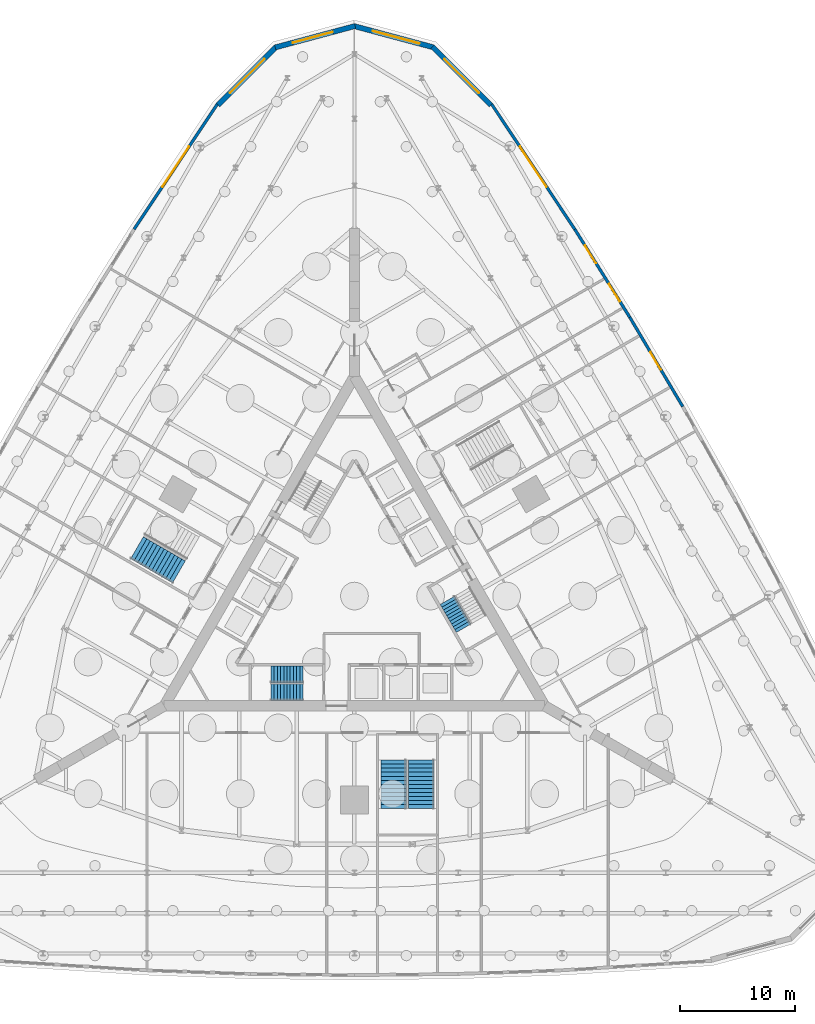
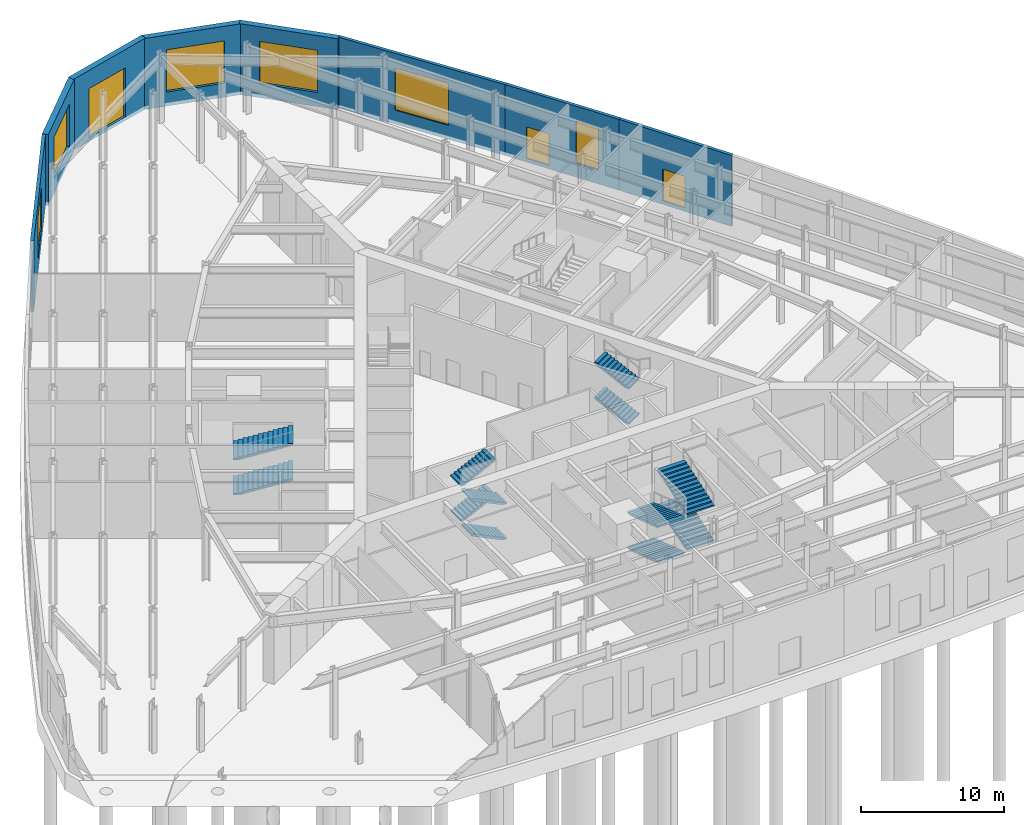
# One storey, part 14 of 17: 12 stair flights, 8 walls, 6 windows, 3 doors, 9 openings, 4 elements without a shape of their own.
"""IFC4 building model written with IfcOpenShell, lengths in metres."""

import ifcopenshell
import ifcopenshell.guid

model = None  # the IFC model being written
_history = None  # IfcOwnerHistory: only IFC2X3 demands one
_inside = {}  # id of a spatial element -> (the spatial element, [elements in it])
_under = {}  # id of a project, library or spatial element -> (it, [spatial elements below it])
_declared = {}  # id of a project -> (the project, [libraries it declares])
_typed = {}  # id of a type object -> (the type object, [elements of that type])
_made_of = {}  # id of a material, layer set ... -> (it, [elements and type objects made of it])


def new_model(schema):
    """Start an empty IFC model of exactly this schema.

    Asked for "IFC4X3", IfcOpenShell would pick the latest addendum, in which some entities
    have other attributes; the version numbers below select the first issue.
    IFC2X3 requires an IfcOwnerHistory on every rooted entity: one is made here for all.
    """
    global model, _history
    if schema == "IFC4X3":
        model = ifcopenshell.file(schema_version=(4, 3, 0, 0))
    else:
        model = ifcopenshell.file(schema=schema)
    _inside.clear()
    _under.clear()
    _declared.clear()
    _typed.clear()
    _made_of.clear()
    _history = None
    if model.schema == "IFC2X3":
        org = make("IfcOrganization", Name="unknown")
        user = make(
            "IfcPersonAndOrganization",
            ThePerson=make("IfcPerson", FamilyName="unknown"),
            TheOrganization=org,
        )
        app = make(
            "IfcApplication",
            ApplicationDeveloper=org,
            Version="unknown",
            ApplicationFullName="unknown",
            ApplicationIdentifier="unknown",
        )
        _history = make(
            "IfcOwnerHistory",
            OwningUser=user,
            OwningApplication=app,
            ChangeAction="ADDED",
            CreationDate=0,
        )
    return model


def make(cls, **values):
    """One entity of the class cls with the attributes given. An attribute that is None is left unset."""
    return model.create_entity(
        cls, **{name: value for name, value in values.items() if value is not None}
    )


def rooted(cls, **values):
    """An entity with a GlobalId (a new one), such as an element, a storey or a relation."""
    return make(cls, GlobalId=ifcopenshell.guid.new(), OwnerHistory=_history, **values)


def si_unit(unit_type, name, prefix=None):
    """IfcSIUnit, for example si_unit("LENGTHUNIT", "METRE", prefix="MILLI")."""
    return make("IfcSIUnit", UnitType=unit_type, Prefix=prefix, Name=name)


def assignment(units):
    """IfcUnitAssignment: the units of a project."""
    return None if units is None else make("IfcUnitAssignment", Units=units)


def point(xyz):
    """IfcCartesianPoint."""
    return None if xyz is None else make("IfcCartesianPoint", Coordinates=xyz)


def direction(xyz):
    """IfcDirection."""
    return None if xyz is None else make("IfcDirection", DirectionRatios=xyz)


def frame(location, z_axis=None, x_axis=None):
    """IfcAxis2Placement3D, a coordinate frame: its origin and axes. An axis left out is left unset."""
    return make(
        "IfcAxis2Placement3D",
        Location=point(location),
        Axis=direction(z_axis),
        RefDirection=direction(x_axis),
    )


def frame_2d(location, x_axis=None):
    """IfcAxis2Placement2D, a coordinate frame in the plane: its origin and x axis."""
    return make(
        "IfcAxis2Placement2D", Location=point(location), RefDirection=direction(x_axis)
    )


def origin():
    """The frame at (0, 0, 0) with its axes left unset."""
    return frame((0.0, 0.0, 0.0))


def place(relative_to, where):
    """IfcLocalPlacement: puts the frame where relative to a parent placement (None: the world)."""
    return make(
        "IfcLocalPlacement", PlacementRelTo=relative_to, RelativePlacement=where
    )


def context(
    kind, dimensions, precision=None, world=None, true_north=None, identifier=None
):
    """IfcGeometricRepresentationContext, for example the 3D "Model" context."""
    return make(
        "IfcGeometricRepresentationContext",
        ContextIdentifier=identifier,
        ContextType=kind,
        CoordinateSpaceDimension=dimensions,
        Precision=precision,
        WorldCoordinateSystem=world,
        TrueNorth=true_north,
    )


def subcontext(parent, identifier, kind, view, scale=None):
    """IfcGeometricRepresentationSubContext, for example "Body" below "Model"."""
    return make(
        "IfcGeometricRepresentationSubContext",
        ContextIdentifier=identifier,
        ContextType=kind,
        ParentContext=parent,
        TargetScale=scale,
        TargetView=view,
    )


def project(units=None, contexts=None):
    """IfcProject with its units and contexts."""
    return rooted(
        "IfcProject",
        Name="project",
        RepresentationContexts=contexts,
        UnitsInContext=assignment(units),
    )


def spatial(cls, under=None, at=None, **own):
    """A site, building, storey or space (cls), placed at a placement, below another one or the project."""
    s = rooted(cls, ObjectPlacement=at, **own)
    if under is not None:
        _under.setdefault(under.id(), (under, []))[1].append(s)
    return s


def polyline(points):
    """IfcPolyline through the points."""
    return make("IfcPolyline", Points=[point(p) for p in points])


def profile(cls, at=None, kind="AREA", **sizes):
    """A parametric profile (cls). Its sizes go by their IFC names, for example OverallWidth=200.0."""
    return make(cls, ProfileType=kind, Position=at, **sizes)


def rectangle(**sizes):
    """IfcRectangleProfileDef."""
    return profile("IfcRectangleProfileDef", **sizes)


def outline(outer, holes=None, kind="AREA"):
    """IfcArbitraryClosedProfileDef: a profile drawn as a closed curve; with holes, ...WithVoids."""
    if holes is None:
        return make("IfcArbitraryClosedProfileDef", ProfileType=kind, OuterCurve=outer)
    return make(
        "IfcArbitraryProfileDefWithVoids",
        ProfileType=kind,
        OuterCurve=outer,
        InnerCurves=holes,
    )


def extrude(swept, where, along, depth):
    """IfcExtrudedAreaSolid: the profile swept, set in the frame where, extruded along a direction by depth."""
    return make(
        "IfcExtrudedAreaSolid",
        SweptArea=swept,
        Position=where,
        ExtrudedDirection=direction(along),
        Depth=depth,
    )


def shape(context_of_items, identifier, shape_type, items):
    """IfcShapeRepresentation: the items that make up one representation, for example the "Body"."""
    return make(
        "IfcShapeRepresentation",
        ContextOfItems=context_of_items,
        RepresentationIdentifier=identifier,
        RepresentationType=shape_type,
        Items=items,
    )


def material(Name=None, Category=None):
    """IfcMaterial."""
    return make("IfcMaterial", Name=Name, Category=Category)


def layer(
    of_material, thickness, ventilated=None, Name=None, Category=None, Priority=None
):
    """IfcMaterialLayer: one layer of a wall or slab, of a material (None: an air gap)."""
    return make(
        "IfcMaterialLayer",
        Material=of_material,
        LayerThickness=thickness,
        IsVentilated=ventilated,
        Name=Name,
        Category=Category,
        Priority=Priority,
    )


def layer_set(layers, Name=None):
    """IfcMaterialLayerSet."""
    return make("IfcMaterialLayerSet", MaterialLayers=layers, LayerSetName=Name)


def made_of(thing, what):
    """Note that an element or type object is made of a material, layer set ...; save() writes the relation."""
    if what is not None:
        _made_of.setdefault(what.id(), (what, []))[1].append(thing)
    return thing


def type_object(cls, material=None, **own):
    """A type object (cls), such as IfcWallType, which elements share."""
    return made_of(rooted(cls, **own), material)


def element(
    cls,
    number,
    at=None,
    inside=None,
    cuts=None,
    type_object=None,
    material=None,
    context=None,
    identifier="Body",
    shape_type=None,
    held_by="IfcProductDefinitionShape",
    body=None,
    shapes=None,
    **own,
):
    """One element of the class cls, such as IfcWall. Its Tag is "e" and its number.

    at: its placement. inside: the storey or other place that contains it. cuts: it is an
    opening in that element (IfcRelVoidsElement). A single representation is given by context,
    identifier, shape_type and body (its items); several are given by shapes. held_by: the class
    of the entity that holds the representations. save() writes the other relations.
    """
    e = rooted(cls, Tag="e%d" % number, ObjectPlacement=at, **own)
    if body is not None:
        shapes = [shape(context, identifier, shape_type, body)]
    if shapes is not None:
        e.Representation = make(held_by, Representations=shapes)
    if inside is not None:
        _inside.setdefault(inside.id(), (inside, []))[1].append(e)
    if cuts is not None:
        rooted(
            "IfcRelVoidsElement", RelatingBuildingElement=cuts, RelatedOpeningElement=e
        )
    if type_object is not None:
        _typed.setdefault(type_object.id(), (type_object, []))[1].append(e)
    return made_of(e, material)


def fill(opening, filler):
    """IfcRelFillsElement: the door or window that sits in an opening."""
    return rooted(
        "IfcRelFillsElement",
        RelatingOpeningElement=opening,
        RelatedBuildingElement=filler,
    )


def aggregate(whole, parts):
    """IfcRelAggregates: a whole, such as a stair, and the parts it consists of."""
    return rooted("IfcRelAggregates", RelatingObject=whole, RelatedObjects=parts)


def save(model, path):
    """Write the relations noted so far, then the file.

    IfcRelAggregates (storeys below a building ...), IfcRelContainedInSpatialStructure (elements
    in a storey), IfcRelDefinesByType, IfcRelAssociatesMaterial and IfcRelDeclares: one each for
    every whole, place, type object, material and project.
    """
    for whole, parts in _under.values():
        aggregate(whole, parts)
    for where, things in _inside.values():
        rooted(
            "IfcRelContainedInSpatialStructure",
            RelatedElements=things,
            RelatingStructure=where,
        )
    for kind, things in _typed.values():
        rooted("IfcRelDefinesByType", RelatedObjects=things, RelatingType=kind)
    for what, things in _made_of.values():
        rooted("IfcRelAssociatesMaterial", RelatedObjects=things, RelatingMaterial=what)
    for by, libraries in _declared.values():
        rooted("IfcRelDeclares", RelatingContext=by, RelatedDefinitions=libraries)
    model.write(path)


model = new_model("IFC4")

# Units and contexts
model_context = context("Model", 3, precision=1e-05, world=origin(), true_north=direction((0.0, 1.0)))
body_context = subcontext(model_context, "Body", "Model", "MODEL_VIEW")
ifc_project = project(units=[si_unit("LENGTHUNIT", "METRE"), si_unit("AREAUNIT", "SQUARE_METRE"), si_unit("VOLUMEUNIT", "CUBIC_METRE"), si_unit("PLANEANGLEUNIT", "RADIAN"), si_unit("MASSUNIT", "GRAM", prefix="KILO")], contexts=[model_context])

# Site, building, storey
site_placement = place(None, origin())
site = spatial("IfcSite", under=ifc_project, at=site_placement, CompositionType="ELEMENT")
building_placement = place(site_placement, origin())
building = spatial("IfcBuilding", under=site, at=building_placement, Name="Trikona Tower", CompositionType="ELEMENT")
storey_placement = place(building_placement, origin())
storey = spatial("IfcBuildingStorey", under=building, at=storey_placement, Name="L00", CompositionType="ELEMENT", Elevation=0.0)

# Wall, opening, window
ifc_material_1 = material(Name="Brick-faced precast concrete", Category="masonry")
ifc_layer_1 = layer(ifc_material_1, 0.449951171875)
ifc_layer_set_1 = layer_set([ifc_layer_1], Name="Brick-faced corner wall 450")
wall_type_1 = type_object("IfcWallType", Name="Brick-faced corner wall 450", PredefinedType="SOLIDWALL", material=ifc_layer_set_1)
wall_1_placement = place(storey_placement, frame((11.8408203125, 42.564697265625, -0.300048828125), z_axis=(0.0, 0.0, 1.0), x_axis=(-0.707089762358, 0.707123799605, 0.0)))
wall_1 = element("IfcWall", 1, at=wall_1_placement, inside=storey, type_object=wall_type_1, Name="External wall L00-16", PredefinedType="SOLIDWALL", context=body_context, shape_type="SweptSolid", body=[
    extrude(rectangle(XDim=7.1728515625, YDim=0.449951171875, at=frame_2d((3.58642578125, 0.0))), origin(), (0.0, 0.0, 1.0), 6.050048828125),
])
opening_1_placement = place(wall_1_placement, frame((1.486328125, 0.0, 1.199951171875)))
opening_1 = element("IfcOpeningElement", 2, at=opening_1_placement, cuts=wall_1, Name="Opening W4236", PredefinedType="OPENING", context=body_context, shape_type="SweptSolid", body=[
    extrude(rectangle(XDim=4.199951171875, YDim=3.60009765625, at=frame_2d((2.10009765625, 1.800048828125))), frame((0.0, 0.23486328125, 0.0), z_axis=(0.0, -1.0, 0.0), x_axis=(1.0, 0.0, 0.0)), (0.0, 0.0, 1.0), 0.469970703125),
])
ifc_material_2 = material(Name="Aluminium-framed double glazing", Category="aluminium")
window_type_1 = type_object("IfcWindowType", Name="Window 4200x3600", PartitioningType="SINGLE_PANEL", PredefinedType="WINDOW", material=ifc_material_2)
window_1_placement = place(opening_1_placement, origin())
window_1 = element("IfcWindow", 3, at=window_1_placement, inside=storey, type_object=window_type_1, Name="Window L00-RU4", OverallHeight=3.60009765625, OverallWidth=4.199951171875, PartitioningType="SINGLE_PANEL", PredefinedType="WINDOW", context=body_context, shape_type="SweptSolid", body=[
    extrude(rectangle(XDim=4.199951171875, YDim=3.60009765625, at=frame_2d((2.10009765625, 1.800048828125))), frame((0.0, 0.030029296875, 0.0), z_axis=(0.0, -1.0, 0.0), x_axis=(1.0, 0.0, 0.0)), (0.0, 0.0, 1.0), 0.06005859375),
])
fill(opening_1, window_1)

wall_2_placement = place(storey_placement, frame((6.8701171875, 47.578369140625, -0.300048828125), z_axis=(0.0, 0.0, 1.0), x_axis=(-0.965924653531, 0.258823421857, 0.0)))
wall_2 = element("IfcWall", 4, at=wall_2_placement, inside=storey, type_object=wall_type_1, Name="External wall L00-17", PredefinedType="SOLIDWALL", context=body_context, shape_type="SweptSolid", body=[
    extrude(rectangle(XDim=7.172607421875, YDim=0.449951171875, at=frame_2d((3.58642578125, 0.0))), origin(), (0.0, 0.0, 1.0), 6.050048828125),
])
opening_2_placement = place(wall_2_placement, frame((1.267578125, 0.0, 1.199951171875)))
opening_2 = element("IfcOpeningElement", 5, at=opening_2_placement, cuts=wall_2, Name="Opening W4236", PredefinedType="OPENING", context=body_context, shape_type="SweptSolid", body=[
    extrude(rectangle(XDim=4.199951171875, YDim=3.60009765625, at=frame_2d((2.10009765625, 1.800048828125))), frame((0.0, 0.23486328125, 0.0), z_axis=(0.0, -1.0, 0.0), x_axis=(1.0, 0.0, 0.0)), (0.0, 0.0, 1.0), 0.469970703125),
])
window_2_placement = place(opening_2_placement, origin())
window_2 = element("IfcWindow", 6, at=window_2_placement, inside=storey, type_object=window_type_1, Name="Window L00-RU4", OverallHeight=3.60009765625, OverallWidth=4.199951171875, PartitioningType="SINGLE_PANEL", PredefinedType="WINDOW", context=body_context, shape_type="SweptSolid", body=[
    extrude(rectangle(XDim=4.199951171875, YDim=3.60009765625, at=frame_2d((2.10009765625, 1.800048828125))), frame((0.0, 0.030029296875, 0.0), z_axis=(0.0, -1.0, 0.0), x_axis=(1.0, 0.0, 0.0)), (0.0, 0.0, 1.0), 0.06005859375),
])
fill(opening_2, window_2)

# Wall, opening, door
wall_3_placement = place(storey_placement, frame((0.05810546875, 49.434814453125, -0.300048828125), z_axis=(0.0, 0.0, 1.0), x_axis=(-0.965924653531, -0.258823421857, 0.0)))
wall_3 = element("IfcWall", 7, at=wall_3_placement, inside=storey, type_object=wall_type_1, Name="External wall L00-18", PredefinedType="SOLIDWALL", context=body_context, shape_type="SweptSolid", body=[
    extrude(rectangle(XDim=7.172607421875, YDim=0.449951171875, at=frame_2d((3.58642578125, 0.0))), origin(), (0.0, 0.0, 1.0), 6.050048828125),
])
opening_3_placement = place(wall_3_placement, frame((2.00439453125, 0.0, 0.300048828125)))
opening_3 = element("IfcOpeningElement", 8, at=opening_3_placement, cuts=wall_3, Name="Opening D9", PredefinedType="OPENING", context=body_context, shape_type="SweptSolid", body=[
    extrude(rectangle(XDim=3.60009765625, YDim=4.199951171875, at=frame_2d((1.800048828125, 2.10009765625))), frame((0.0, 0.23486328125, 0.0), z_axis=(0.0, -1.0, 0.0), x_axis=(1.0, 0.0, 0.0)), (0.0, 0.0, 1.0), 0.469970703125),
])
ifc_material_3 = material(Name="Insulated steel roller shutter", Category="steel")
door_type_1 = type_object("IfcDoorType", Name="Loading dock roller door 3600x4200", OperationType="ROLLINGUP", PredefinedType="DOOR", material=ifc_material_3)
door_1_placement = place(opening_3_placement, origin())
door_1 = element("IfcDoor", 9, at=door_1_placement, inside=storey, type_object=door_type_1, Name="Loading dock door", OperationType="ROLLINGUP", OverallHeight=4.199951171875, OverallWidth=3.60009765625, PredefinedType="DOOR", context=body_context, shape_type="SweptSolid", body=[
    extrude(rectangle(XDim=3.60009765625, YDim=4.199951171875, at=frame_2d((1.800048828125, 2.10009765625))), frame((0.0, 0.02490234375, 0.0), z_axis=(0.0, -1.0, 0.0), x_axis=(1.0, 0.0, 0.0)), (0.0, 0.0, 1.0), 0.050048828125),
])
fill(opening_3, door_1)

# Wall, opening, window
wall_4_placement = place(storey_placement, frame((-6.76904296875, 47.63671875, -0.300048828125), z_axis=(0.0, 0.0, 1.0), x_axis=(-0.707089762358, -0.707123799605, 0.0)))
wall_4 = element("IfcWall", 10, at=wall_4_placement, inside=storey, type_object=wall_type_1, Name="External wall L00-19", PredefinedType="SOLIDWALL", context=body_context, shape_type="SweptSolid", body=[
    extrude(rectangle(XDim=7.1728515625, YDim=0.449951171875, at=frame_2d((3.58642578125, 0.0))), origin(), (0.0, 0.0, 1.0), 6.050048828125),
])
opening_4_placement = place(wall_4_placement, frame((1.486328125, 0.0, 1.199951171875)))
opening_4 = element("IfcOpeningElement", 11, at=opening_4_placement, cuts=wall_4, Name="Opening W4236", PredefinedType="OPENING", context=body_context, shape_type="SweptSolid", body=[
    extrude(rectangle(XDim=4.199951171875, YDim=3.60009765625, at=frame_2d((2.10009765625, 1.800048828125))), frame((0.0, 0.23486328125, 0.0), z_axis=(0.0, -1.0, 0.0), x_axis=(1.0, 0.0, 0.0)), (0.0, 0.0, 1.0), 0.469970703125),
])
window_3_placement = place(opening_4_placement, origin())
window_3 = element("IfcWindow", 12, at=window_3_placement, inside=storey, type_object=window_type_1, Name="Window L00-DCK", OverallHeight=3.60009765625, OverallWidth=4.199951171875, PartitioningType="SINGLE_PANEL", PredefinedType="WINDOW", context=body_context, shape_type="SweptSolid", body=[
    extrude(rectangle(XDim=4.199951171875, YDim=3.60009765625, at=frame_2d((2.10009765625, 1.800048828125))), frame((0.0, 0.030029296875, 0.0), z_axis=(0.0, -1.0, 0.0), x_axis=(1.0, 0.0, 0.0)), (0.0, 0.0, 1.0), 0.06005859375),
])
fill(opening_4, window_3)

# Wall, opening, door
ifc_material_4 = material(Name="Insulated precast concrete spandrel panel", Category="concrete")
ifc_layer_2 = layer(ifc_material_4, 0.25)
ifc_layer_set_2 = layer_set([ifc_layer_2], Name="Inner skin wall 250")
wall_type_2 = type_object("IfcWallType", Name="Inner skin wall 250", PredefinedType="STANDARD", material=ifc_layer_set_2)
wall_5_placement = place(storey_placement, frame((23.8759765625, 24.17529296875, -0.300048828125), z_axis=(0.0, 0.0, 1.0), x_axis=(0.510009078305, -0.860169018302, 0.0)))
wall_5 = element("IfcWall", 13, at=wall_5_placement, inside=storey, type_object=wall_type_2, Name="External wall L00-13", PredefinedType="STANDARD", context=body_context, shape_type="SweptSolid", body=[
    extrude(rectangle(XDim=9.00048828125, YDim=0.25, at=frame_2d((4.500244140625, 0.0))), origin(), (0.0, 0.0, 1.0), 6.050048828125),
])
opening_5_placement = place(wall_5_placement, frame((3.4951171875, 0.0, 0.300048828125)))
opening_5 = element("IfcOpeningElement", 14, at=opening_5_placement, cuts=wall_5, Name="Opening D7", PredefinedType="OPENING", context=body_context, shape_type="SweptSolid", body=[
    extrude(rectangle(XDim=1.800048828125, YDim=2.699951171875, at=frame_2d((0.89990234375, 1.35009765625))), frame((0.0, 0.135009765625, 0.0), z_axis=(0.0, -1.0, 0.0), x_axis=(1.0, 0.0, 0.0)), (0.0, 0.0, 1.0), 0.27001953125),
])
ifc_material_5 = material(Name="Aluminium-framed glazed door", Category="aluminium")
door_type_2 = type_object("IfcDoorType", Name="Entrance door pair 1800x2700", OperationType="DOUBLE_DOOR_SINGLE_SWING", PredefinedType="DOOR", material=ifc_material_5)
door_2_placement = place(opening_5_placement, origin())
door_2 = element("IfcDoor", 15, at=door_2_placement, inside=storey, type_object=door_type_2, Name="Exit door Podium stair PS2", OperationType="DOUBLE_DOOR_SINGLE_SWING", OverallHeight=2.699951171875, OverallWidth=1.800048828125, PredefinedType="DOOR", context=body_context, shape_type="SweptSolid", body=[
    extrude(rectangle(XDim=1.800048828125, YDim=2.699951171875, at=frame_2d((0.89990234375, 1.35009765625))), frame((0.0, 0.02490234375, 0.0), z_axis=(0.0, -1.0, 0.0), x_axis=(1.0, 0.0, 0.0)), (0.0, 0.0, 1.0), 0.050048828125),
])
fill(opening_5, door_2)

# Wall, openings, door, window
wall_6_placement = place(storey_placement, frame((23.87744140625, 24.1728515625, -0.300048828125), z_axis=(0.0, 0.0, 1.0), x_axis=(-0.529864906428, 0.848082060261, 0.0)))
wall_6 = element("IfcWall", 16, at=wall_6_placement, inside=storey, type_object=wall_type_2, Name="External wall L00-14", PredefinedType="STANDARD", context=body_context, shape_type="SweptSolid", body=[
    extrude(rectangle(XDim=9.005615234375, YDim=0.25, at=frame_2d((4.5029296875, 0.0))), origin(), (0.0, 0.0, 1.0), 6.050048828125),
])
opening_6_placement = place(wall_6_placement, frame((1.6171875, 0.0, 1.199951171875)))
opening_6 = element("IfcOpeningElement", 17, at=opening_6_placement, cuts=wall_6, Name="Opening W1836", PredefinedType="OPENING", context=body_context, shape_type="SweptSolid", body=[
    extrude(rectangle(XDim=1.800048828125, YDim=3.60009765625, at=frame_2d((0.89990234375, 1.800048828125))), frame((0.0, 0.135009765625, 0.0), z_axis=(0.0, -1.0, 0.0), x_axis=(1.0, 0.0, 0.0)), (0.0, 0.0, 1.0), 0.27001953125),
])
opening_7_placement = place(wall_6_placement, frame((5.536865234375, 0.0, 0.300048828125)))
opening_7 = element("IfcOpeningElement", 18, at=opening_7_placement, cuts=wall_6, Name="Opening D7", PredefinedType="OPENING", context=body_context, shape_type="SweptSolid", body=[
    extrude(rectangle(XDim=1.800048828125, YDim=2.699951171875, at=frame_2d((0.89990234375, 1.35009765625))), frame((0.0, 0.135009765625, 0.0), z_axis=(0.0, -1.0, 0.0), x_axis=(1.0, 0.0, 0.0)), (0.0, 0.0, 1.0), 0.27001953125),
])
door_3_placement = place(opening_7_placement, origin())
door_3 = element("IfcDoor", 19, at=door_3_placement, inside=storey, type_object=door_type_2, Name="Exit door Retail unit 4", OperationType="DOUBLE_DOOR_SINGLE_SWING", OverallHeight=2.699951171875, OverallWidth=1.800048828125, PredefinedType="DOOR", context=body_context, shape_type="SweptSolid", body=[
    extrude(rectangle(XDim=1.800048828125, YDim=2.699951171875, at=frame_2d((0.89990234375, 1.35009765625))), frame((0.0, 0.02490234375, 0.0), z_axis=(0.0, -1.0, 0.0), x_axis=(1.0, 0.0, 0.0)), (0.0, 0.0, 1.0), 0.050048828125),
])
fill(opening_7, door_3)
ifc_material_6 = material(Name="Aluminium-framed double glazing", Category="aluminium")
window_type_2 = type_object("IfcWindowType", Name="Window 1800x3600", PartitioningType="SINGLE_PANEL", PredefinedType="WINDOW", material=ifc_material_6)
window_4_placement = place(opening_6_placement, origin())
window_4 = element("IfcWindow", 20, at=window_4_placement, inside=storey, type_object=window_type_2, Name="Window L00-WCF", OverallHeight=3.60009765625, OverallWidth=1.800048828125, PartitioningType="SINGLE_PANEL", PredefinedType="WINDOW", context=body_context, shape_type="SweptSolid", body=[
    extrude(rectangle(XDim=1.800048828125, YDim=3.60009765625, at=frame_2d((0.89990234375, 1.800048828125))), frame((0.0, 0.030029296875, 0.0), z_axis=(0.0, -1.0, 0.0), x_axis=(1.0, 0.0, 0.0)), (0.0, 0.0, 1.0), 0.06005859375),
])
fill(opening_6, window_4)

# Wall, opening, window
wall_7_placement = place(storey_placement, frame((19.107666015625, 31.807373046875, -0.300048828125), z_axis=(0.0, 0.0, 1.0), x_axis=(-0.553640063994, 0.832756074454, 0.0)))
wall_7 = element("IfcWall", 21, at=wall_7_placement, inside=storey, type_object=wall_type_2, Name="External wall L00-15", PredefinedType="STANDARD", context=body_context, shape_type="SweptSolid", body=[
    extrude(rectangle(XDim=13.02587890625, YDim=0.25, at=frame_2d((6.512939453125, 0.0))), origin(), (0.0, 0.0, 1.0), 6.050048828125),
])
opening_8_placement = place(wall_7_placement, frame((4.412841796875, 0.0, 1.199951171875)))
opening_8 = element("IfcOpeningElement", 22, at=opening_8_placement, cuts=wall_7, Name="Opening W4236", PredefinedType="OPENING", context=body_context, shape_type="SweptSolid", body=[
    extrude(rectangle(XDim=4.199951171875, YDim=3.60009765625, at=frame_2d((2.10009765625, 1.800048828125))), frame((0.0, 0.135009765625, 0.0), z_axis=(0.0, -1.0, 0.0), x_axis=(1.0, 0.0, 0.0)), (0.0, 0.0, 1.0), 0.27001953125),
])
window_5_placement = place(opening_8_placement, origin())
window_5 = element("IfcWindow", 23, at=window_5_placement, inside=storey, type_object=window_type_1, Name="Window L00-RU4", OverallHeight=3.60009765625, OverallWidth=4.199951171875, PartitioningType="SINGLE_PANEL", PredefinedType="WINDOW", context=body_context, shape_type="SweptSolid", body=[
    extrude(rectangle(XDim=4.199951171875, YDim=3.60009765625, at=frame_2d((2.10009765625, 1.800048828125))), frame((0.0, 0.030029296875, 0.0), z_axis=(0.0, -1.0, 0.0), x_axis=(1.0, 0.0, 0.0)), (0.0, 0.0, 1.0), 0.06005859375),
])
fill(opening_8, window_5)

wall_8_placement = place(storey_placement, frame((-11.89599609375, 42.65478515625, -0.300048828125), z_axis=(0.0, 0.0, 1.0), x_axis=(-0.553640063994, -0.832756074454, 0.0)))
wall_8 = element("IfcWall", 24, at=wall_8_placement, inside=storey, type_object=wall_type_2, Name="External wall L00-20", PredefinedType="STANDARD", context=body_context, shape_type="SweptSolid", body=[
    extrude(rectangle(XDim=13.02587890625, YDim=0.25, at=frame_2d((6.512939453125, 0.0))), origin(), (0.0, 0.0, 1.0), 6.050048828125),
])
opening_9_placement = place(wall_8_placement, frame((4.412841796875, 0.0, 1.199951171875)))
opening_9 = element("IfcOpeningElement", 25, at=opening_9_placement, cuts=wall_8, Name="Opening W4236", PredefinedType="OPENING", context=body_context, shape_type="SweptSolid", body=[
    extrude(rectangle(XDim=4.199951171875, YDim=3.60009765625, at=frame_2d((2.10009765625, 1.800048828125))), frame((0.0, 0.135009765625, 0.0), z_axis=(0.0, -1.0, 0.0), x_axis=(1.0, 0.0, 0.0)), (0.0, 0.0, 1.0), 0.27001953125),
])
window_6_placement = place(opening_9_placement, origin())
window_6 = element("IfcWindow", 26, at=window_6_placement, inside=storey, type_object=window_type_1, Name="Window L00-DCK", OverallHeight=3.60009765625, OverallWidth=4.199951171875, PartitioningType="SINGLE_PANEL", PredefinedType="WINDOW", context=body_context, shape_type="SweptSolid", body=[
    extrude(rectangle(XDim=4.199951171875, YDim=3.60009765625, at=frame_2d((2.10009765625, 1.800048828125))), frame((0.0, 0.030029296875, 0.0), z_axis=(0.0, -1.0, 0.0), x_axis=(1.0, 0.0, 0.0)), (0.0, 0.0, 1.0), 0.06005859375),
])
fill(opening_9, window_6)

# Stair, stair flights
ifc_material_7 = material(Name="Concrete f'c 5000 psi", Category="concrete")
stair_type_1 = type_object("IfcStairType", Name="Core stair", PredefinedType="HALF_TURN_STAIR", material=ifc_material_7)
stair_1_placement = place(storey_placement, origin())
stair_1 = element("IfcStair", 27, at=stair_1_placement, inside=storey, type_object=stair_type_1, Name="Stair A L00", PredefinedType="HALF_TURN_STAIR")
ifc_material_8 = material(Name="Concrete f'c 5000 psi", Category="concrete")
stair_flight_type_1 = type_object("IfcStairFlightType", Name="Core stair flight 1450", PredefinedType="STRAIGHT", material=ifc_material_8)
stair_flight_1_placement = place(storey_placement, frame((-4.449951171875, -8.351318359375, 0.0), z_axis=(0.0, 0.0, 1.0), x_axis=(-1.0, 0.0, 0.0)))
stair_flight_1 = element("IfcStairFlight", 28, at=stair_flight_1_placement, type_object=stair_flight_type_1, Name="ST-A flight 1", NumberOfRisers=11, NumberOfTreads=10, PredefinedType="STRAIGHT", RiserHeight=0.136364, TreadLength=0.28, context=body_context, shape_type="SweptSolid", body=[
    extrude(outline(polyline([(0.0, 0.0), (0.0, 0.136474609375), (0.280029296875, 0.136474609375), (0.280029296875, 0.272705078125), (0.56005859375, 0.272705078125), (0.56005859375, 0.4091796875), (0.840087890625, 0.4091796875), (0.840087890625, 0.54541015625), (1.1201171875, 0.54541015625), (1.1201171875, 0.681884765625), (1.39990234375, 0.681884765625), (1.39990234375, 0.818115234375), (1.679931640625, 0.818115234375), (1.679931640625, 0.95458984375), (1.9599609375, 0.95458984375), (1.9599609375, 1.0908203125), (2.239990234375, 1.0908203125), (2.239990234375, 1.227294921875), (2.52001953125, 1.227294921875), (2.52001953125, 1.363525390625), (2.800048828125, 1.363525390625), (2.800048828125, 1.5), (2.800048828125, 1.197021484375), (0.34228515625, 0.0), (0.0, 0.0)])), frame((0.0, 0.72509765625, 0.0), z_axis=(0.0, -1.0, 0.0), x_axis=(1.0, 0.0, 0.0)), (0.0, 0.0, 1.0), 1.449951171875),
])
stair_flight_2_placement = place(storey_placement, frame((-7.25, -6.80126953125, 1.5), z_axis=(0.0, 0.0, 1.0), x_axis=(1.0, 0.0, 0.0)))
stair_flight_2 = element("IfcStairFlight", 29, at=stair_flight_2_placement, type_object=stair_flight_type_1, Name="ST-A flight 2", NumberOfRisers=11, NumberOfTreads=10, PredefinedType="STRAIGHT", RiserHeight=0.136364, TreadLength=0.28, context=body_context, shape_type="SweptSolid", body=[
    extrude(outline(polyline([(0.0, 0.0), (0.0, 0.136474609375), (0.280029296875, 0.136474609375), (0.280029296875, 0.272705078125), (0.56005859375, 0.272705078125), (0.56005859375, 0.4091796875), (0.840087890625, 0.4091796875), (0.840087890625, 0.54541015625), (1.1201171875, 0.54541015625), (1.1201171875, 0.681884765625), (1.39990234375, 0.681884765625), (1.39990234375, 0.818115234375), (1.679931640625, 0.818115234375), (1.679931640625, 0.95458984375), (1.9599609375, 0.95458984375), (1.9599609375, 1.0908203125), (2.239990234375, 1.0908203125), (2.239990234375, 1.227294921875), (2.52001953125, 1.227294921875), (2.52001953125, 1.363525390625), (2.800048828125, 1.363525390625), (2.800048828125, 1.5), (2.800048828125, 1.197021484375), (0.34228515625, 0.0), (0.0, 0.0)])), frame((0.0, 0.72509765625, 0.0), z_axis=(0.0, -1.0, 0.0), x_axis=(1.0, 0.0, 0.0)), (0.0, 0.0, 1.0), 1.449951171875),
])
stair_flight_3_placement = place(storey_placement, frame((-4.449951171875, -8.351318359375, 3.0), z_axis=(0.0, 0.0, 1.0), x_axis=(-1.0, 0.0, 0.0)))
stair_flight_3 = element("IfcStairFlight", 30, at=stair_flight_3_placement, type_object=stair_flight_type_1, Name="ST-A flight 3", NumberOfRisers=11, NumberOfTreads=10, PredefinedType="STRAIGHT", RiserHeight=0.136364, TreadLength=0.28, context=body_context, shape_type="SweptSolid", body=[
    extrude(outline(polyline([(0.0, 0.0), (0.0, 0.136474609375), (0.280029296875, 0.136474609375), (0.280029296875, 0.272705078125), (0.56005859375, 0.272705078125), (0.56005859375, 0.4091796875), (0.840087890625, 0.4091796875), (0.840087890625, 0.54541015625), (1.1201171875, 0.54541015625), (1.1201171875, 0.681884765625), (1.39990234375, 0.681884765625), (1.39990234375, 0.818115234375), (1.679931640625, 0.818115234375), (1.679931640625, 0.95458984375), (1.9599609375, 0.95458984375), (1.9599609375, 1.0908203125), (2.239990234375, 1.0908203125), (2.239990234375, 1.227294921875), (2.52001953125, 1.227294921875), (2.52001953125, 1.363525390625), (2.800048828125, 1.363525390625), (2.800048828125, 1.5), (2.800048828125, 1.197021484375), (0.34228515625, 0.0), (0.0, 0.0)])), frame((0.0, 0.72509765625, 0.0), z_axis=(0.0, -1.0, 0.0), x_axis=(1.0, 0.0, 0.0)), (0.0, 0.0, 1.0), 1.449951171875),
])
stair_flight_4_placement = place(storey_placement, frame((-7.25, -6.80126953125, 4.5), z_axis=(0.0, 0.0, 1.0), x_axis=(1.0, 0.0, 0.0)))
stair_flight_4 = element("IfcStairFlight", 31, at=stair_flight_4_placement, type_object=stair_flight_type_1, Name="ST-A flight 4", NumberOfRisers=11, NumberOfTreads=10, PredefinedType="STRAIGHT", RiserHeight=0.136364, TreadLength=0.28, context=body_context, shape_type="SweptSolid", body=[
    extrude(outline(polyline([(0.0, 0.0), (0.0, 0.136474609375), (0.280029296875, 0.136474609375), (0.280029296875, 0.272705078125), (0.56005859375, 0.272705078125), (0.56005859375, 0.4091796875), (0.840087890625, 0.4091796875), (0.840087890625, 0.54541015625), (1.1201171875, 0.54541015625), (1.1201171875, 0.681884765625), (1.39990234375, 0.681884765625), (1.39990234375, 0.818115234375), (1.679931640625, 0.818115234375), (1.679931640625, 0.95458984375), (1.9599609375, 0.95458984375), (1.9599609375, 1.0908203125), (2.239990234375, 1.0908203125), (2.239990234375, 1.227294921875), (2.52001953125, 1.227294921875), (2.52001953125, 1.363525390625), (2.800048828125, 1.363525390625), (2.800048828125, 1.5), (2.800048828125, 1.197021484375), (0.34228515625, 0.0), (0.0, 0.0)])), frame((0.0, 0.72509765625, 0.0), z_axis=(0.0, -1.0, 0.0), x_axis=(1.0, 0.0, 0.0)), (0.0, 0.0, 1.0), 1.449951171875),
])
aggregate(stair_1, [stair_flight_1, stair_flight_2, stair_flight_3, stair_flight_4])

stair_2_placement = place(storey_placement, origin())
stair_2 = element("IfcStair", 32, at=stair_2_placement, inside=storey, type_object=stair_type_1, Name="Stair B L00", PredefinedType="HALF_TURN_STAIR")
stair_flight_5_placement = place(storey_placement, frame((9.465087890625, -2.79150390625, 1.5), z_axis=(0.0, 0.0, 1.0), x_axis=(-0.5, 0.866025403784, 0.0)))
stair_flight_5 = element("IfcStairFlight", 33, at=stair_flight_5_placement, type_object=stair_flight_type_1, Name="ST-B flight 2", NumberOfRisers=11, NumberOfTreads=10, PredefinedType="STRAIGHT", RiserHeight=0.136364, TreadLength=0.28, context=body_context, shape_type="SweptSolid", body=[
    extrude(outline(polyline([(0.0, 0.0), (0.0, 0.136474609375), (0.280029296875, 0.136474609375), (0.280029296875, 0.272705078125), (0.56005859375, 0.272705078125), (0.56005859375, 0.4091796875), (0.840087890625, 0.4091796875), (0.840087890625, 0.54541015625), (1.1201171875, 0.54541015625), (1.1201171875, 0.681884765625), (1.39990234375, 0.681884765625), (1.39990234375, 0.818115234375), (1.679931640625, 0.818115234375), (1.679931640625, 0.95458984375), (1.9599609375, 0.95458984375), (1.9599609375, 1.0908203125), (2.239990234375, 1.0908203125), (2.239990234375, 1.227294921875), (2.52001953125, 1.227294921875), (2.52001953125, 1.363525390625), (2.800048828125, 1.363525390625), (2.800048828125, 1.5), (2.800048828125, 1.197021484375), (0.34228515625, 0.0), (0.0, 0.0)])), frame((0.0, 0.72509765625, 0.0), z_axis=(0.0, -1.0, 0.0), x_axis=(1.0, 0.0, 0.0)), (0.0, 0.0, 1.0), 1.449951171875),
])
stair_flight_6_placement = place(storey_placement, frame((9.465087890625, -2.79150390625, 4.5), z_axis=(0.0, 0.0, 1.0), x_axis=(-0.5, 0.866025403784, 0.0)))
stair_flight_6 = element("IfcStairFlight", 34, at=stair_flight_6_placement, type_object=stair_flight_type_1, Name="ST-B flight 4", NumberOfRisers=11, NumberOfTreads=10, PredefinedType="STRAIGHT", RiserHeight=0.136364, TreadLength=0.28, context=body_context, shape_type="SweptSolid", body=[
    extrude(outline(polyline([(0.0, 0.0), (0.0, 0.136474609375), (0.280029296875, 0.136474609375), (0.280029296875, 0.272705078125), (0.56005859375, 0.272705078125), (0.56005859375, 0.4091796875), (0.840087890625, 0.4091796875), (0.840087890625, 0.54541015625), (1.1201171875, 0.54541015625), (1.1201171875, 0.681884765625), (1.39990234375, 0.681884765625), (1.39990234375, 0.818115234375), (1.679931640625, 0.818115234375), (1.679931640625, 0.95458984375), (1.9599609375, 0.95458984375), (1.9599609375, 1.0908203125), (2.239990234375, 1.0908203125), (2.239990234375, 1.227294921875), (2.52001953125, 1.227294921875), (2.52001953125, 1.363525390625), (2.800048828125, 1.363525390625), (2.800048828125, 1.5), (2.800048828125, 1.197021484375), (0.34228515625, 0.0), (0.0, 0.0)])), frame((0.0, 0.72509765625, 0.0), z_axis=(0.0, -1.0, 0.0), x_axis=(1.0, 0.0, 0.0)), (0.0, 0.0, 1.0), 1.449951171875),
])
aggregate(stair_2, [stair_flight_5, stair_flight_6])

ifc_material_9 = material(Name="Concrete f'c 5000 psi", Category="concrete")
stair_type_2 = type_object("IfcStairType", Name="Podium stair", PredefinedType="HALF_TURN_STAIR", material=ifc_material_9)
stair_3_placement = place(storey_placement, origin())
stair_3 = element("IfcStair", 35, at=stair_3_placement, inside=storey, type_object=stair_type_2, Name="Podium stair PS1 L00", PredefinedType="HALF_TURN_STAIR")
ifc_material_10 = material(Name="Concrete f'c 5000 psi", Category="concrete")
stair_flight_type_2 = type_object("IfcStairFlightType", Name="Podium stair flight 2200", PredefinedType="STRAIGHT", material=ifc_material_10)
stair_flight_7_placement = place(storey_placement, frame((3.39990234375, -14.226318359375, 0.0), z_axis=(0.0, 0.0, 1.0), x_axis=(0.0, -1.0, 0.0)))
stair_flight_7 = element("IfcStairFlight", 36, at=stair_flight_7_placement, type_object=stair_flight_type_2, Name="PS1 flight 1", NumberOfRisers=13, NumberOfTreads=12, PredefinedType="STRAIGHT", RiserHeight=0.115385, TreadLength=0.35, context=body_context, shape_type="SweptSolid", body=[
    extrude(outline(polyline([(0.0, 0.0), (0.0, 0.115478515625), (0.35009765625, 0.115478515625), (0.35009765625, 0.230712890625), (0.699951171875, 0.230712890625), (0.699951171875, 0.34619140625), (1.050048828125, 0.34619140625), (1.050048828125, 0.46142578125), (1.39990234375, 0.46142578125), (1.39990234375, 0.576904296875), (1.75, 0.576904296875), (1.75, 0.6923828125), (2.10009765625, 0.6923828125), (2.10009765625, 0.8076171875), (2.449951171875, 0.8076171875), (2.449951171875, 0.923095703125), (2.800048828125, 0.923095703125), (2.800048828125, 1.03857421875), (3.14990234375, 1.03857421875), (3.14990234375, 1.15380859375), (3.5, 1.15380859375), (3.5, 1.269287109375), (3.85009765625, 1.269287109375), (3.85009765625, 1.384521484375), (4.199951171875, 1.384521484375), (4.199951171875, 1.5), (4.199951171875, 1.226806640625), (0.478759765625, 0.0), (0.0, 0.0)])), frame((0.0, 1.10009765625, 0.0), z_axis=(0.0, -1.0, 0.0), x_axis=(1.0, 0.0, 0.0)), (0.0, 0.0, 1.0), 2.199951171875),
])
stair_flight_8_placement = place(storey_placement, frame((5.800048828125, -18.42626953125, 1.5), z_axis=(0.0, 0.0, 1.0), x_axis=(0.0, 1.0, 0.0)))
stair_flight_8 = element("IfcStairFlight", 37, at=stair_flight_8_placement, type_object=stair_flight_type_2, Name="PS1 flight 2", NumberOfRisers=13, NumberOfTreads=12, PredefinedType="STRAIGHT", RiserHeight=0.115385, TreadLength=0.35, context=body_context, shape_type="SweptSolid", body=[
    extrude(outline(polyline([(0.0, 0.0), (0.0, 0.115478515625), (0.35009765625, 0.115478515625), (0.35009765625, 0.230712890625), (0.699951171875, 0.230712890625), (0.699951171875, 0.34619140625), (1.050048828125, 0.34619140625), (1.050048828125, 0.46142578125), (1.39990234375, 0.46142578125), (1.39990234375, 0.576904296875), (1.75, 0.576904296875), (1.75, 0.6923828125), (2.10009765625, 0.6923828125), (2.10009765625, 0.8076171875), (2.449951171875, 0.8076171875), (2.449951171875, 0.923095703125), (2.800048828125, 0.923095703125), (2.800048828125, 1.03857421875), (3.14990234375, 1.03857421875), (3.14990234375, 1.15380859375), (3.5, 1.15380859375), (3.5, 1.269287109375), (3.85009765625, 1.269287109375), (3.85009765625, 1.384521484375), (4.199951171875, 1.384521484375), (4.199951171875, 1.5), (4.199951171875, 1.226806640625), (0.478759765625, 0.0), (0.0, 0.0)])), frame((0.0, 1.10009765625, 0.0), z_axis=(0.0, -1.0, 0.0), x_axis=(1.0, 0.0, 0.0)), (0.0, 0.0, 1.0), 2.199951171875),
])
stair_flight_9_placement = place(storey_placement, frame((3.39990234375, -14.226318359375, 3.0), z_axis=(0.0, 0.0, 1.0), x_axis=(0.0, -1.0, 0.0)))
stair_flight_9 = element("IfcStairFlight", 38, at=stair_flight_9_placement, type_object=stair_flight_type_2, Name="PS1 flight 3", NumberOfRisers=13, NumberOfTreads=12, PredefinedType="STRAIGHT", RiserHeight=0.115385, TreadLength=0.35, context=body_context, shape_type="SweptSolid", body=[
    extrude(outline(polyline([(0.0, 0.0), (0.0, 0.115478515625), (0.35009765625, 0.115478515625), (0.35009765625, 0.230712890625), (0.699951171875, 0.230712890625), (0.699951171875, 0.34619140625), (1.050048828125, 0.34619140625), (1.050048828125, 0.46142578125), (1.39990234375, 0.46142578125), (1.39990234375, 0.576904296875), (1.75, 0.576904296875), (1.75, 0.6923828125), (2.10009765625, 0.6923828125), (2.10009765625, 0.8076171875), (2.449951171875, 0.8076171875), (2.449951171875, 0.923095703125), (2.800048828125, 0.923095703125), (2.800048828125, 1.03857421875), (3.14990234375, 1.03857421875), (3.14990234375, 1.15380859375), (3.5, 1.15380859375), (3.5, 1.269287109375), (3.85009765625, 1.269287109375), (3.85009765625, 1.384521484375), (4.199951171875, 1.384521484375), (4.199951171875, 1.5), (4.199951171875, 1.226806640625), (0.478759765625, 0.0), (0.0, 0.0)])), frame((0.0, 1.10009765625, 0.0), z_axis=(0.0, -1.0, 0.0), x_axis=(1.0, 0.0, 0.0)), (0.0, 0.0, 1.0), 2.199951171875),
])
stair_flight_10_placement = place(storey_placement, frame((5.800048828125, -18.42626953125, 4.5), z_axis=(0.0, 0.0, 1.0), x_axis=(0.0, 1.0, 0.0)))
stair_flight_10 = element("IfcStairFlight", 39, at=stair_flight_10_placement, type_object=stair_flight_type_2, Name="PS1 flight 4", NumberOfRisers=13, NumberOfTreads=12, PredefinedType="STRAIGHT", RiserHeight=0.115385, TreadLength=0.35, context=body_context, shape_type="SweptSolid", body=[
    extrude(outline(polyline([(0.0, 0.0), (0.0, 0.115478515625), (0.35009765625, 0.115478515625), (0.35009765625, 0.230712890625), (0.699951171875, 0.230712890625), (0.699951171875, 0.34619140625), (1.050048828125, 0.34619140625), (1.050048828125, 0.46142578125), (1.39990234375, 0.46142578125), (1.39990234375, 0.576904296875), (1.75, 0.576904296875), (1.75, 0.6923828125), (2.10009765625, 0.6923828125), (2.10009765625, 0.8076171875), (2.449951171875, 0.8076171875), (2.449951171875, 0.923095703125), (2.800048828125, 0.923095703125), (2.800048828125, 1.03857421875), (3.14990234375, 1.03857421875), (3.14990234375, 1.15380859375), (3.5, 1.15380859375), (3.5, 1.269287109375), (3.85009765625, 1.269287109375), (3.85009765625, 1.384521484375), (4.199951171875, 1.384521484375), (4.199951171875, 1.5), (4.199951171875, 1.226806640625), (0.478759765625, 0.0), (0.0, 0.0)])), frame((0.0, 1.10009765625, 0.0), z_axis=(0.0, -1.0, 0.0), x_axis=(1.0, 0.0, 0.0)), (0.0, 0.0, 1.0), 2.199951171875),
])
aggregate(stair_3, [stair_flight_7, stair_flight_8, stair_flight_9, stair_flight_10])

stair_4_placement = place(storey_placement, origin())
stair_4 = element("IfcStair", 40, at=stair_4_placement, inside=storey, type_object=stair_type_2, Name="Podium stair PS3 L00", PredefinedType="HALF_TURN_STAIR")
stair_flight_11_placement = place(storey_placement, frame((-18.857666015625, 4.190185546875, 1.5), z_axis=(0.0, 0.0, 1.0), x_axis=(0.866025403784, -0.5, 0.0)))
stair_flight_11 = element("IfcStairFlight", 41, at=stair_flight_11_placement, type_object=stair_flight_type_2, Name="PS3 flight 2", NumberOfRisers=13, NumberOfTreads=12, PredefinedType="STRAIGHT", RiserHeight=0.115385, TreadLength=0.35, context=body_context, shape_type="SweptSolid", body=[
    extrude(outline(polyline([(0.0, 0.0), (0.0, 0.115478515625), (0.35009765625, 0.115478515625), (0.35009765625, 0.230712890625), (0.699951171875, 0.230712890625), (0.699951171875, 0.34619140625), (1.050048828125, 0.34619140625), (1.050048828125, 0.46142578125), (1.39990234375, 0.46142578125), (1.39990234375, 0.576904296875), (1.75, 0.576904296875), (1.75, 0.6923828125), (2.10009765625, 0.6923828125), (2.10009765625, 0.8076171875), (2.449951171875, 0.8076171875), (2.449951171875, 0.923095703125), (2.800048828125, 0.923095703125), (2.800048828125, 1.03857421875), (3.14990234375, 1.03857421875), (3.14990234375, 1.15380859375), (3.5, 1.15380859375), (3.5, 1.269287109375), (3.85009765625, 1.269287109375), (3.85009765625, 1.384521484375), (4.199951171875, 1.384521484375), (4.199951171875, 1.5), (4.199951171875, 1.226806640625), (0.478759765625, 0.0), (0.0, 0.0)])), frame((0.0, 1.10009765625, 0.0), z_axis=(0.0, -1.0, 0.0), x_axis=(1.0, 0.0, 0.0)), (0.0, 0.0, 1.0), 2.199951171875),
])
stair_flight_12_placement = place(storey_placement, frame((-18.857666015625, 4.190185546875, 4.5), z_axis=(0.0, 0.0, 1.0), x_axis=(0.866025403784, -0.5, 0.0)))
stair_flight_12 = element("IfcStairFlight", 42, at=stair_flight_12_placement, type_object=stair_flight_type_2, Name="PS3 flight 4", NumberOfRisers=13, NumberOfTreads=12, PredefinedType="STRAIGHT", RiserHeight=0.115385, TreadLength=0.35, context=body_context, shape_type="SweptSolid", body=[
    extrude(outline(polyline([(0.0, 0.0), (0.0, 0.115478515625), (0.35009765625, 0.115478515625), (0.35009765625, 0.230712890625), (0.699951171875, 0.230712890625), (0.699951171875, 0.34619140625), (1.050048828125, 0.34619140625), (1.050048828125, 0.46142578125), (1.39990234375, 0.46142578125), (1.39990234375, 0.576904296875), (1.75, 0.576904296875), (1.75, 0.6923828125), (2.10009765625, 0.6923828125), (2.10009765625, 0.8076171875), (2.449951171875, 0.8076171875), (2.449951171875, 0.923095703125), (2.800048828125, 0.923095703125), (2.800048828125, 1.03857421875), (3.14990234375, 1.03857421875), (3.14990234375, 1.15380859375), (3.5, 1.15380859375), (3.5, 1.269287109375), (3.85009765625, 1.269287109375), (3.85009765625, 1.384521484375), (4.199951171875, 1.384521484375), (4.199951171875, 1.5), (4.199951171875, 1.226806640625), (0.478759765625, 0.0), (0.0, 0.0)])), frame((0.0, 1.10009765625, 0.0), z_axis=(0.0, -1.0, 0.0), x_axis=(1.0, 0.0, 0.0)), (0.0, 0.0, 1.0), 2.199951171875),
])
aggregate(stair_4, [stair_flight_11, stair_flight_12])

save(model, "model.ifc")
